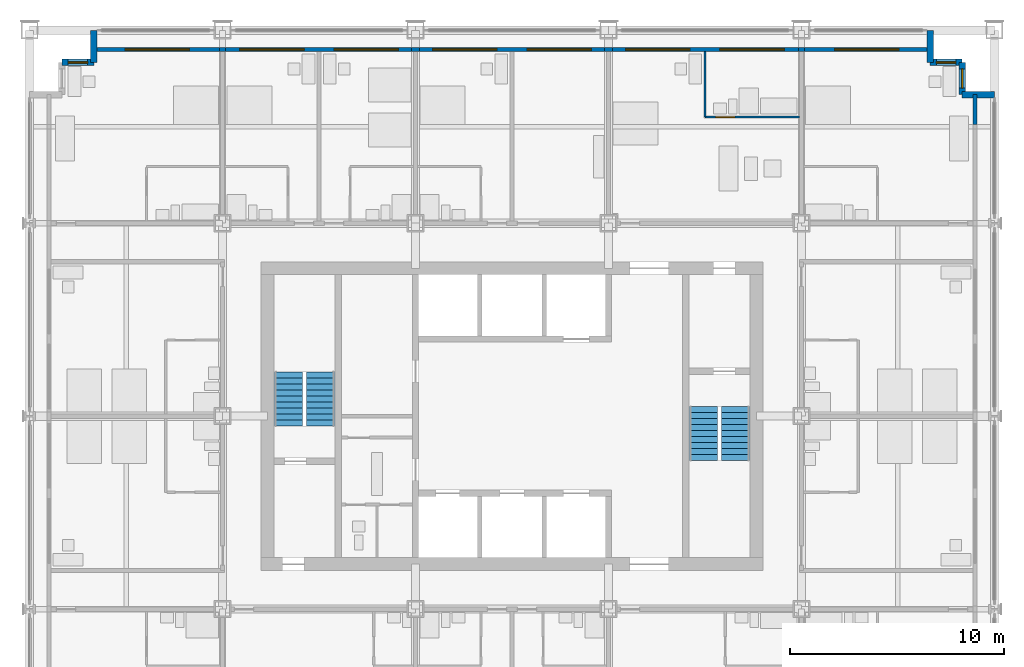
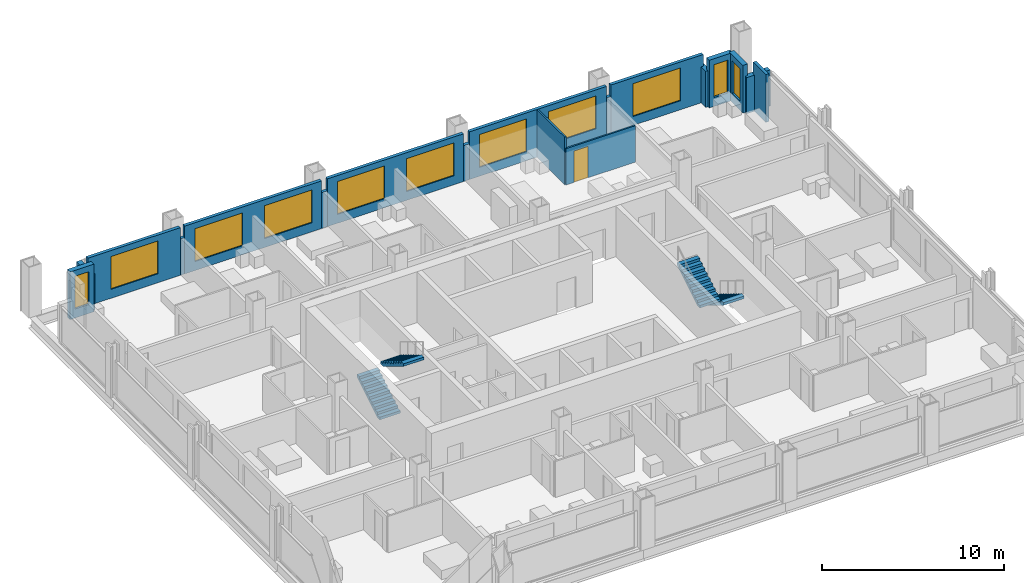
# One storey, part 13 of 16: 18 walls, 11 windows, 4 stair flights, 1 door, 12 openings, 2 elements without a shape of their own.
"""IFC4 building model written with IfcOpenShell, lengths in metres."""

from ifc_helpers import new_model, si_unit, direction, frame, frame_2d, origin, place, context, subcontext, project, spatial, polyline, rectangle, outline, extrude, material, layer, layer_set, type_object, element, fill, aggregate, save


model = new_model("IFC4")

# Units and contexts
model_context = context("Model", 3, precision=1e-05, world=origin(), true_north=direction((0.0, 1.0)))
body_context = subcontext(model_context, "Body", "Model", "MODEL_VIEW")
ifc_project = project(units=[si_unit("LENGTHUNIT", "METRE"), si_unit("AREAUNIT", "SQUARE_METRE"), si_unit("VOLUMEUNIT", "CUBIC_METRE"), si_unit("PLANEANGLEUNIT", "RADIAN"), si_unit("MASSUNIT", "GRAM", prefix="KILO")], contexts=[model_context])

# Site, building, storey
site_placement = place(None, origin())
site = spatial("IfcSite", under=ifc_project, at=site_placement, CompositionType="ELEMENT")
building_placement = place(site_placement, origin())
building = spatial("IfcBuilding", under=site, at=building_placement, Name="Loomwork Tower", CompositionType="ELEMENT")
storey_placement = place(building_placement, frame((0.0, 0.0, 131.60009765625)))
storey = spatial("IfcBuildingStorey", under=building, at=storey_placement, Name="L35", CompositionType="ELEMENT", Elevation=131.60009765625)

# Wall, opening, door
ifc_material_1 = material(Name="Cement board on steel studs", Category="steel")
ifc_layer_1 = layer(ifc_material_1, 0.10009765625)
ifc_layer_set_1 = layer_set([ifc_layer_1], Name="En-suite partition 100")
wall_type_1 = type_object("IfcWallType", Name="En-suite partition 100", PredefinedType="PARTITIONING", material=ifc_layer_set_1)
wall_1_placement = place(storey_placement, frame((31.5, 31.949951171875, 0.0), z_axis=(0.0, 0.0, 1.0), x_axis=(1.0, 0.0, 0.0)))
wall_1 = element("IfcWall", 1, at=wall_1_placement, inside=storey, type_object=wall_type_1, Name="Spa bathroom wall L35 room 12", PredefinedType="PARTITIONING", context=body_context, shape_type="SweptSolid", body=[
    extrude(rectangle(XDim=4.39990234375, YDim=0.10009765625, at=frame_2d((2.199951171875, 0.0))), origin(), (0.0, 0.0, 1.0), 2.43798828125),
])
opening_1_placement = place(wall_1_placement, frame((0.5, 0.0, 0.0)))
opening_1 = element("IfcOpeningElement", 2, at=opening_1_placement, cuts=wall_1, Name="Opening D2", PredefinedType="OPENING", context=body_context, shape_type="SweptSolid", body=[
    extrude(rectangle(XDim=0.89990234375, YDim=2.10009765625, at=frame_2d((0.449951171875, 1.050048828125))), frame((0.0, 0.06005859375, 0.0), z_axis=(0.0, -1.0, 0.0), x_axis=(1.0, 0.0, 0.0)), (0.0, 0.0, 1.0), 0.1201171875),
])
ifc_material_2 = material(Name="Hollow metal door and frame")
door_type = type_object("IfcDoorType", Name="En-suite door 900", OperationType="SINGLE_SWING_LEFT", PredefinedType="DOOR", material=ifc_material_2)
door_placement = place(opening_1_placement, origin())
door = element("IfcDoor", 3, at=door_placement, inside=storey, type_object=door_type, Name="Spa bathroom door room 12", OperationType="SINGLE_SWING_LEFT", OverallHeight=2.10009765625, OverallWidth=0.89990234375, PredefinedType="DOOR", context=body_context, shape_type="SweptSolid", body=[
    extrude(rectangle(XDim=0.89990234375, YDim=2.10009765625, at=frame_2d((0.449951171875, 1.050048828125))), frame((0.0, 0.02490234375, 0.0), z_axis=(0.0, -1.0, 0.0), x_axis=(1.0, 0.0, 0.0)), (0.0, 0.0, 1.0), 0.050048828125),
])
fill(opening_1, door)

# Wall
wall_2_placement = place(storey_placement, frame((31.5, 31.949951171875, 0.0), z_axis=(0.0, 0.0, 1.0), x_axis=(0.0, 1.0, 0.0)))
element("IfcWall", 4, at=wall_2_placement, inside=storey, type_object=wall_type_1, Name="Spa bathroom side wall L35 room 12", PredefinedType="PARTITIONING", context=body_context, shape_type="SweptSolid", body=[
    extrude(rectangle(XDim=3.050048828125, YDim=0.10009765625, at=frame_2d((1.52490234375, 0.0))), origin(), (0.0, 0.0, 1.0), 3.199951171875),
])

# Wall, opening, window
ifc_material_3 = material(Name="Insulated steel stud wall with gypsum lining", Category="steel")
ifc_layer_2 = layer(ifc_material_3, 0.199951171875)
ifc_layer_set_2 = layer_set([ifc_layer_2], Name="Inner skin wall 200")
wall_type_2 = type_object("IfcWallType", Name="Inner skin wall 200", PredefinedType="SOLIDWALL", material=ifc_layer_set_2)
wall_3_placement = place(storey_placement, frame((3.0, 35.10009765625, 0.0), z_axis=(0.0, 0.0, 1.0), x_axis=(1.0, 0.0, 0.0)))
wall_3 = element("IfcWall", 5, at=wall_3_placement, inside=storey, type_object=wall_type_2, Name="Inner skin wall N", PredefinedType="SOLIDWALL", context=body_context, shape_type="SweptSolid", body=[
    extrude(rectangle(XDim=5.86474609375, YDim=0.199951171875, at=frame_2d((2.932373046875, 0.0))), origin(), (0.0, 0.0, 1.0), 3.199951171875),
])
opening_2_placement = place(wall_3_placement, frame((1.449951171875, 0.0, 0.60009765625)))
opening_2 = element("IfcOpeningElement", 6, at=opening_2_placement, cuts=wall_3, Name="Opening CH1", PredefinedType="OPENING", context=body_context, shape_type="SweptSolid", body=[
    extrude(rectangle(XDim=3.0, YDim=2.199951171875, at=frame_2d((1.5, 1.10009765625))), frame((0.0, 0.10986328125, 0.0), z_axis=(0.0, -1.0, 0.0), x_axis=(1.0, 0.0, 0.0)), (0.0, 0.0, 1.0), 0.219970703125),
])
ifc_material_4 = material(Name="Aluminium frame with clear insulated glass", Category="aluminium")
window_type_1 = type_object("IfcWindowType", Name="Chicago window 3000", PartitioningType="TRIPLE_PANEL_VERTICAL", PredefinedType="WINDOW", material=ifc_material_4)
window_1_placement = place(opening_2_placement, origin())
window_1 = element("IfcWindow", 7, at=window_1_placement, inside=storey, type_object=window_type_1, Name="Chicago window L35 bay 6", OverallHeight=2.199951171875, OverallWidth=3.0, PartitioningType="TRIPLE_PANEL_VERTICAL", PredefinedType="WINDOW", context=body_context, shape_type="SweptSolid", body=[
    extrude(rectangle(XDim=3.0, YDim=2.199951171875, at=frame_2d((1.5, 1.10009765625))), frame((0.0, 0.030029296875, 0.0), z_axis=(0.0, -1.0, 0.0), x_axis=(1.0, 0.0, 0.0)), (0.0, 0.0, 1.0), 0.06005859375),
])
fill(opening_2, window_1)

# Wall
wall_4_placement = place(storey_placement, frame((8.86474609375, 35.10009765625, 0.0), z_axis=(0.0, 0.0, 1.0), x_axis=(1.0, 0.0, 0.0)))
element("IfcWall", 8, at=wall_4_placement, inside=storey, type_object=wall_type_2, Name="Inner skin wall N bay 2", PredefinedType="SOLIDWALL", context=body_context, shape_type="SweptSolid", body=[
    extrude(rectangle(XDim=0.2705078125, YDim=0.199951171875, at=frame_2d((0.13525390625, 0.0))), origin(), (0.0, 0.0, 1.0), 2.43798828125),
])

# Wall, openings, windows
wall_5_placement = place(storey_placement, frame((9.13525390625, 35.10009765625, 0.0), z_axis=(0.0, 0.0, 1.0), x_axis=(1.0, 0.0, 0.0)))
wall_5 = element("IfcWall", 9, at=wall_5_placement, inside=storey, type_object=wall_type_2, Name="Inner skin wall N bay 3", PredefinedType="SOLIDWALL", context=body_context, shape_type="SweptSolid", body=[
    extrude(rectangle(XDim=8.6708984375, YDim=0.199951171875, at=frame_2d((4.33544921875, 0.0))), origin(), (0.0, 0.0, 1.0), 3.199951171875),
])
opening_3_placement = place(wall_5_placement, frame((0.664794921875, 0.0, 0.60009765625)))
opening_3 = element("IfcOpeningElement", 10, at=opening_3_placement, cuts=wall_5, Name="Opening CH1", PredefinedType="OPENING", context=body_context, shape_type="SweptSolid", body=[
    extrude(rectangle(XDim=3.0, YDim=2.199951171875, at=frame_2d((1.5, 1.10009765625))), frame((0.0, 0.10986328125, 0.0), z_axis=(0.0, -1.0, 0.0), x_axis=(1.0, 0.0, 0.0)), (0.0, 0.0, 1.0), 0.219970703125),
])
opening_4_placement = place(wall_5_placement, frame((5.064697265625, 0.0, 0.60009765625)))
opening_4 = element("IfcOpeningElement", 11, at=opening_4_placement, cuts=wall_5, Name="Opening CH1", PredefinedType="OPENING", context=body_context, shape_type="SweptSolid", body=[
    extrude(rectangle(XDim=3.0, YDim=2.199951171875, at=frame_2d((1.5, 1.10009765625))), frame((0.0, 0.10986328125, 0.0), z_axis=(0.0, -1.0, 0.0), x_axis=(1.0, 0.0, 0.0)), (0.0, 0.0, 1.0), 0.219970703125),
])
window_2_placement = place(opening_3_placement, origin())
window_2 = element("IfcWindow", 12, at=window_2_placement, inside=storey, type_object=window_type_1, Name="Chicago window L35 bay 7", OverallHeight=2.199951171875, OverallWidth=3.0, PartitioningType="TRIPLE_PANEL_VERTICAL", PredefinedType="WINDOW", context=body_context, shape_type="SweptSolid", body=[
    extrude(rectangle(XDim=3.0, YDim=2.199951171875, at=frame_2d((1.5, 1.10009765625))), frame((0.0, 0.030029296875, 0.0), z_axis=(0.0, -1.0, 0.0), x_axis=(1.0, 0.0, 0.0)), (0.0, 0.0, 1.0), 0.06005859375),
])
fill(opening_3, window_2)
window_3_placement = place(opening_4_placement, origin())
window_3 = element("IfcWindow", 13, at=window_3_placement, inside=storey, type_object=window_type_1, Name="Chicago window L35 bay 7", OverallHeight=2.199951171875, OverallWidth=3.0, PartitioningType="TRIPLE_PANEL_VERTICAL", PredefinedType="WINDOW", context=body_context, shape_type="SweptSolid", body=[
    extrude(rectangle(XDim=3.0, YDim=2.199951171875, at=frame_2d((1.5, 1.10009765625))), frame((0.0, 0.030029296875, 0.0), z_axis=(0.0, -1.0, 0.0), x_axis=(1.0, 0.0, 0.0)), (0.0, 0.0, 1.0), 0.06005859375),
])
fill(opening_4, window_3)

# Wall
wall_6_placement = place(storey_placement, frame((17.80615234375, 35.10009765625, 0.0), z_axis=(0.0, 0.0, 1.0), x_axis=(1.0, 0.0, 0.0)))
element("IfcWall", 14, at=wall_6_placement, inside=storey, type_object=wall_type_2, Name="Inner skin wall N bay 4", PredefinedType="SOLIDWALL", context=body_context, shape_type="SweptSolid", body=[
    extrude(rectangle(XDim=0.3876953125, YDim=0.199951171875, at=frame_2d((0.19384765625, 0.0))), origin(), (0.0, 0.0, 1.0), 2.40380859375),
])

# Wall, openings, windows
wall_7_placement = place(storey_placement, frame((18.19384765625, 35.10009765625, 0.0), z_axis=(0.0, 0.0, 1.0), x_axis=(1.0, 0.0, 0.0)))
wall_7 = element("IfcWall", 15, at=wall_7_placement, inside=storey, type_object=wall_type_2, Name="Inner skin wall N bay 5", PredefinedType="SOLIDWALL", context=body_context, shape_type="SweptSolid", body=[
    extrude(rectangle(XDim=8.6123046875, YDim=0.199951171875, at=frame_2d((4.30615234375, 0.0))), origin(), (0.0, 0.0, 1.0), 3.199951171875),
])
opening_5_placement = place(wall_7_placement, frame((0.606201171875, 0.0, 0.60009765625)))
opening_5 = element("IfcOpeningElement", 16, at=opening_5_placement, cuts=wall_7, Name="Opening CH1", PredefinedType="OPENING", context=body_context, shape_type="SweptSolid", body=[
    extrude(rectangle(XDim=3.0, YDim=2.199951171875, at=frame_2d((1.5, 1.10009765625))), frame((0.0, 0.10986328125, 0.0), z_axis=(0.0, -1.0, 0.0), x_axis=(1.0, 0.0, 0.0)), (0.0, 0.0, 1.0), 0.219970703125),
])
opening_6_placement = place(wall_7_placement, frame((5.006103515625, 0.0, 0.60009765625)))
opening_6 = element("IfcOpeningElement", 17, at=opening_6_placement, cuts=wall_7, Name="Opening CH1", PredefinedType="OPENING", context=body_context, shape_type="SweptSolid", body=[
    extrude(rectangle(XDim=3.0, YDim=2.199951171875, at=frame_2d((1.5, 1.10009765625))), frame((0.0, 0.10986328125, 0.0), z_axis=(0.0, -1.0, 0.0), x_axis=(1.0, 0.0, 0.0)), (0.0, 0.0, 1.0), 0.219970703125),
])
window_4_placement = place(opening_5_placement, origin())
window_4 = element("IfcWindow", 18, at=window_4_placement, inside=storey, type_object=window_type_1, Name="Chicago window L35 bay 8", OverallHeight=2.199951171875, OverallWidth=3.0, PartitioningType="TRIPLE_PANEL_VERTICAL", PredefinedType="WINDOW", context=body_context, shape_type="SweptSolid", body=[
    extrude(rectangle(XDim=3.0, YDim=2.199951171875, at=frame_2d((1.5, 1.10009765625))), frame((0.0, 0.030029296875, 0.0), z_axis=(0.0, -1.0, 0.0), x_axis=(1.0, 0.0, 0.0)), (0.0, 0.0, 1.0), 0.06005859375),
])
fill(opening_5, window_4)
window_5_placement = place(opening_6_placement, origin())
window_5 = element("IfcWindow", 19, at=window_5_placement, inside=storey, type_object=window_type_1, Name="Chicago window L35 bay 8", OverallHeight=2.199951171875, OverallWidth=3.0, PartitioningType="TRIPLE_PANEL_VERTICAL", PredefinedType="WINDOW", context=body_context, shape_type="SweptSolid", body=[
    extrude(rectangle(XDim=3.0, YDim=2.199951171875, at=frame_2d((1.5, 1.10009765625))), frame((0.0, 0.030029296875, 0.0), z_axis=(0.0, -1.0, 0.0), x_axis=(1.0, 0.0, 0.0)), (0.0, 0.0, 1.0), 0.06005859375),
])
fill(opening_6, window_5)

# Wall
wall_8_placement = place(storey_placement, frame((26.80615234375, 35.10009765625, 0.0), z_axis=(0.0, 0.0, 1.0), x_axis=(1.0, 0.0, 0.0)))
element("IfcWall", 20, at=wall_8_placement, inside=storey, type_object=wall_type_2, Name="Inner skin wall N bay 6", PredefinedType="SOLIDWALL", context=body_context, shape_type="SweptSolid", body=[
    extrude(rectangle(XDim=0.3876953125, YDim=0.199951171875, at=frame_2d((0.19384765625, 0.0))), origin(), (0.0, 0.0, 1.0), 2.40380859375),
])

# Wall, openings, windows
wall_9_placement = place(storey_placement, frame((27.19384765625, 35.10009765625, 0.0), z_axis=(0.0, 0.0, 1.0), x_axis=(1.0, 0.0, 0.0)))
wall_9 = element("IfcWall", 21, at=wall_9_placement, inside=storey, type_object=wall_type_2, Name="Inner skin wall N bay 7", PredefinedType="SOLIDWALL", context=body_context, shape_type="SweptSolid", body=[
    extrude(rectangle(XDim=8.670654296875, YDim=0.199951171875, at=frame_2d((4.33544921875, 0.0))), origin(), (0.0, 0.0, 1.0), 3.199951171875),
])
opening_7_placement = place(wall_9_placement, frame((0.606201171875, 0.0, 0.60009765625)))
opening_7 = element("IfcOpeningElement", 22, at=opening_7_placement, cuts=wall_9, Name="Opening CH1", PredefinedType="OPENING", context=body_context, shape_type="SweptSolid", body=[
    extrude(rectangle(XDim=3.0, YDim=2.199951171875, at=frame_2d((1.5, 1.10009765625))), frame((0.0, 0.10986328125, 0.0), z_axis=(0.0, -1.0, 0.0), x_axis=(1.0, 0.0, 0.0)), (0.0, 0.0, 1.0), 0.219970703125),
])
opening_8_placement = place(wall_9_placement, frame((5.006103515625, 0.0, 0.60009765625)))
opening_8 = element("IfcOpeningElement", 23, at=opening_8_placement, cuts=wall_9, Name="Opening CH1", PredefinedType="OPENING", context=body_context, shape_type="SweptSolid", body=[
    extrude(rectangle(XDim=3.0, YDim=2.199951171875, at=frame_2d((1.5, 1.10009765625))), frame((0.0, 0.10986328125, 0.0), z_axis=(0.0, -1.0, 0.0), x_axis=(1.0, 0.0, 0.0)), (0.0, 0.0, 1.0), 0.219970703125),
])
window_6_placement = place(opening_7_placement, origin())
window_6 = element("IfcWindow", 24, at=window_6_placement, inside=storey, type_object=window_type_1, Name="Chicago window L35 bay 9", OverallHeight=2.199951171875, OverallWidth=3.0, PartitioningType="TRIPLE_PANEL_VERTICAL", PredefinedType="WINDOW", context=body_context, shape_type="SweptSolid", body=[
    extrude(rectangle(XDim=3.0, YDim=2.199951171875, at=frame_2d((1.5, 1.10009765625))), frame((0.0, 0.030029296875, 0.0), z_axis=(0.0, -1.0, 0.0), x_axis=(1.0, 0.0, 0.0)), (0.0, 0.0, 1.0), 0.06005859375),
])
fill(opening_7, window_6)
window_7_placement = place(opening_8_placement, origin())
window_7 = element("IfcWindow", 25, at=window_7_placement, inside=storey, type_object=window_type_1, Name="Chicago window L35 bay 9", OverallHeight=2.199951171875, OverallWidth=3.0, PartitioningType="TRIPLE_PANEL_VERTICAL", PredefinedType="WINDOW", context=body_context, shape_type="SweptSolid", body=[
    extrude(rectangle(XDim=3.0, YDim=2.199951171875, at=frame_2d((1.5, 1.10009765625))), frame((0.0, 0.030029296875, 0.0), z_axis=(0.0, -1.0, 0.0), x_axis=(1.0, 0.0, 0.0)), (0.0, 0.0, 1.0), 0.06005859375),
])
fill(opening_8, window_7)

# Wall
wall_10_placement = place(storey_placement, frame((35.864501953125, 35.10009765625, 0.0), z_axis=(0.0, 0.0, 1.0), x_axis=(1.0, 0.0, 0.0)))
element("IfcWall", 26, at=wall_10_placement, inside=storey, type_object=wall_type_2, Name="Inner skin wall N bay 8", PredefinedType="SOLIDWALL", context=body_context, shape_type="SweptSolid", body=[
    extrude(rectangle(XDim=0.27099609375, YDim=0.199951171875, at=frame_2d((0.135498046875, 0.0))), origin(), (0.0, 0.0, 1.0), 2.43798828125),
])

# Wall, opening, window
wall_11_placement = place(storey_placement, frame((36.135498046875, 35.10009765625, 0.0), z_axis=(0.0, 0.0, 1.0), x_axis=(1.0, 0.0, 0.0)))
wall_11 = element("IfcWall", 27, at=wall_11_placement, inside=storey, type_object=wall_type_2, Name="Inner skin wall N bay 9", PredefinedType="SOLIDWALL", context=body_context, shape_type="SweptSolid", body=[
    extrude(rectangle(XDim=5.864501953125, YDim=0.199951171875, at=frame_2d((2.93212890625, 0.0))), origin(), (0.0, 0.0, 1.0), 3.199951171875),
])
opening_9_placement = place(wall_11_placement, frame((1.41455078125, 0.0, 0.60009765625)))
opening_9 = element("IfcOpeningElement", 28, at=opening_9_placement, cuts=wall_11, Name="Opening CH1", PredefinedType="OPENING", context=body_context, shape_type="SweptSolid", body=[
    extrude(rectangle(XDim=3.0, YDim=2.199951171875, at=frame_2d((1.5, 1.10009765625))), frame((0.0, 0.10986328125, 0.0), z_axis=(0.0, -1.0, 0.0), x_axis=(1.0, 0.0, 0.0)), (0.0, 0.0, 1.0), 0.219970703125),
])
window_8_placement = place(opening_9_placement, origin())
window_8 = element("IfcWindow", 29, at=window_8_placement, inside=storey, type_object=window_type_1, Name="Chicago window L35 bay 10", OverallHeight=2.199951171875, OverallWidth=3.0, PartitioningType="TRIPLE_PANEL_VERTICAL", PredefinedType="WINDOW", context=body_context, shape_type="SweptSolid", body=[
    extrude(rectangle(XDim=3.0, YDim=2.199951171875, at=frame_2d((1.5, 1.10009765625))), frame((0.0, 0.030029296875, 0.0), z_axis=(0.0, -1.0, 0.0), x_axis=(1.0, 0.0, 0.0)), (0.0, 0.0, 1.0), 0.06005859375),
])
fill(opening_9, window_8)

# Walls
wall_12_placement = place(storey_placement, frame((44.10009765625, 31.607421875, 0.0), z_axis=(0.0, 0.0, 1.0), x_axis=(0.0, 1.0, 0.0)))
element("IfcWall", 30, at=wall_12_placement, inside=storey, type_object=wall_type_2, Name="Inner skin wall E bay 11", PredefinedType="SOLIDWALL", context=body_context, shape_type="SweptSolid", body=[
    extrude(rectangle(XDim=1.392578125, YDim=0.199951171875, at=frame_2d((0.6962890625, 0.0))), origin(), (0.0, 0.0, 1.0), 3.199951171875),
])
ifc_material_5 = material(Name="Limestone on concrete masonry", Category="masonry")
ifc_layer_3 = layer(ifc_material_5, 0.300048828125)
ifc_layer_set_3 = layer_set([ifc_layer_3], Name="Limestone corner wall 300")
wall_type_3 = type_object("IfcWallType", Name="Limestone corner wall 300", PredefinedType="SOLIDWALL", material=ifc_layer_set_3)
wall_13_placement = place(storey_placement, frame((45.0, 33.0, 0.0), z_axis=(0.0, 0.0, 1.0), x_axis=(-1.0, 0.0, 0.0)))
element("IfcWall", 31, at=wall_13_placement, inside=storey, type_object=wall_type_3, Name="Stone corner wall NE 1", PredefinedType="SOLIDWALL", context=body_context, shape_type="SweptSolid", body=[
    extrude(rectangle(XDim=1.5, YDim=0.300048828125, at=frame_2d((0.75, 0.0))), origin(), (0.0, 0.0, 1.0), 2.419921875),
])

# Wall, opening, window
wall_14_placement = place(storey_placement, frame((43.5, 33.0, 0.0), z_axis=(0.0, 0.0, 1.0), x_axis=(0.0, 1.0, 0.0)))
wall_14 = element("IfcWall", 32, at=wall_14_placement, inside=storey, type_object=wall_type_3, Name="Stone corner wall NE 2", PredefinedType="SOLIDWALL", context=body_context, shape_type="SweptSolid", body=[
    extrude(rectangle(XDim=1.5, YDim=0.300048828125, at=frame_2d((0.75, 0.0))), origin(), (0.0, 0.0, 1.0), 3.199951171875),
])
opening_10_placement = place(wall_14_placement, frame((0.300048828125, 0.0, 0.60009765625)))
opening_10 = element("IfcOpeningElement", 33, at=opening_10_placement, cuts=wall_14, Name="Opening CH2", PredefinedType="OPENING", context=body_context, shape_type="SweptSolid", body=[
    extrude(rectangle(XDim=0.89990234375, YDim=2.199951171875, at=frame_2d((0.449951171875, 1.10009765625))), frame((0.0, 0.159912109375, 0.0), z_axis=(0.0, -1.0, 0.0), x_axis=(1.0, 0.0, 0.0)), (0.0, 0.0, 1.0), 0.320068359375),
])
ifc_material_6 = material(Name="Aluminium frame with clear insulated glass", Category="aluminium")
window_type_2 = type_object("IfcWindowType", Name="Corner window 900", PartitioningType="SINGLE_PANEL", PredefinedType="WINDOW", material=ifc_material_6)
window_9_placement = place(opening_10_placement, origin())
window_9 = element("IfcWindow", 34, at=window_9_placement, inside=storey, type_object=window_type_2, Name="Corner window NE", OverallHeight=2.199951171875, OverallWidth=0.89990234375, PartitioningType="SINGLE_PANEL", PredefinedType="WINDOW", context=body_context, shape_type="SweptSolid", body=[
    extrude(rectangle(XDim=0.89990234375, YDim=2.199951171875, at=frame_2d((0.449951171875, 1.10009765625))), frame((0.0, 0.030029296875, 0.0), z_axis=(0.0, -1.0, 0.0), x_axis=(1.0, 0.0, 0.0)), (0.0, 0.0, 1.0), 0.06005859375),
])
fill(opening_10, window_9)

wall_15_placement = place(storey_placement, frame((43.5, 34.5, 0.0), z_axis=(0.0, 0.0, 1.0), x_axis=(-1.0, 0.0, 0.0)))
wall_15 = element("IfcWall", 35, at=wall_15_placement, inside=storey, type_object=wall_type_3, Name="Stone corner wall NE 3", PredefinedType="SOLIDWALL", context=body_context, shape_type="SweptSolid", body=[
    extrude(rectangle(XDim=1.5, YDim=0.300048828125, at=frame_2d((0.75, 0.0))), origin(), (0.0, 0.0, 1.0), 3.199951171875),
])
opening_11_placement = place(wall_15_placement, frame((0.300048828125, 0.0, 0.60009765625)))
opening_11 = element("IfcOpeningElement", 36, at=opening_11_placement, cuts=wall_15, Name="Opening CH2", PredefinedType="OPENING", context=body_context, shape_type="SweptSolid", body=[
    extrude(rectangle(XDim=0.89990234375, YDim=2.199951171875, at=frame_2d((0.449951171875, 1.10009765625))), frame((0.0, 0.159912109375, 0.0), z_axis=(0.0, -1.0, 0.0), x_axis=(1.0, 0.0, 0.0)), (0.0, 0.0, 1.0), 0.320068359375),
])
window_10_placement = place(opening_11_placement, origin())
window_10 = element("IfcWindow", 37, at=window_10_placement, inside=storey, type_object=window_type_2, Name="Corner window NE", OverallHeight=2.199951171875, OverallWidth=0.89990234375, PartitioningType="SINGLE_PANEL", PredefinedType="WINDOW", context=body_context, shape_type="SweptSolid", body=[
    extrude(rectangle(XDim=0.89990234375, YDim=2.199951171875, at=frame_2d((0.449951171875, 1.10009765625))), frame((0.0, 0.030029296875, 0.0), z_axis=(0.0, -1.0, 0.0), x_axis=(1.0, 0.0, 0.0)), (0.0, 0.0, 1.0), 0.06005859375),
])
fill(opening_11, window_10)

# Walls
for number, where, z_axis, x_axis, name in (
    (38, (42.0, 34.5, 0.0), (0.0, 0.0, 1.0), (0.0, 1.0, 0.0), "Stone corner wall NE 4"),
    (39, (3.0, 36.0, 0.0), (0.0, 0.0, 1.0), (0.0, -1.0, 0.0), "Stone corner wall NW 1"),
):
    element("IfcWall", number, at=place(storey_placement, frame(where, z_axis=z_axis, x_axis=x_axis)), inside=storey, type_object=wall_type_3, Name=name, PredefinedType="SOLIDWALL", context=body_context, shape_type="SweptSolid", body=[
        extrude(rectangle(XDim=1.5, YDim=0.300048828125, at=frame_2d((0.75, 0.0))), origin(), (0.0, 0.0, 1.0), 2.419921875),
    ])

# Wall, opening, window
wall_16_placement = place(storey_placement, frame((3.0, 34.5, 0.0), z_axis=(0.0, 0.0, 1.0), x_axis=(-1.0, 0.0, 0.0)))
wall_16 = element("IfcWall", 40, at=wall_16_placement, inside=storey, type_object=wall_type_3, Name="Stone corner wall NW 2", PredefinedType="SOLIDWALL", context=body_context, shape_type="SweptSolid", body=[
    extrude(rectangle(XDim=1.5, YDim=0.300048828125, at=frame_2d((0.75, 0.0))), origin(), (0.0, 0.0, 1.0), 3.199951171875),
])
opening_12_placement = place(wall_16_placement, frame((0.300048828125, 0.0, 0.60009765625)))
opening_12 = element("IfcOpeningElement", 41, at=opening_12_placement, cuts=wall_16, Name="Opening CH2", PredefinedType="OPENING", context=body_context, shape_type="SweptSolid", body=[
    extrude(rectangle(XDim=0.89990234375, YDim=2.199951171875, at=frame_2d((0.449951171875, 1.10009765625))), frame((0.0, 0.159912109375, 0.0), z_axis=(0.0, -1.0, 0.0), x_axis=(1.0, 0.0, 0.0)), (0.0, 0.0, 1.0), 0.320068359375),
])
window_11_placement = place(opening_12_placement, origin())
window_11 = element("IfcWindow", 42, at=window_11_placement, inside=storey, type_object=window_type_2, Name="Corner window NW", OverallHeight=2.199951171875, OverallWidth=0.89990234375, PartitioningType="SINGLE_PANEL", PredefinedType="WINDOW", context=body_context, shape_type="SweptSolid", body=[
    extrude(rectangle(XDim=0.89990234375, YDim=2.199951171875, at=frame_2d((0.449951171875, 1.10009765625))), frame((0.0, 0.030029296875, 0.0), z_axis=(0.0, -1.0, 0.0), x_axis=(1.0, 0.0, 0.0)), (0.0, 0.0, 1.0), 0.06005859375),
])
fill(opening_12, window_11)

# Stair, stair flights
ifc_material_7 = material(Name="Concrete 5000 psi (34 MPa) precast stair", Category="concrete")
stair_type_1 = type_object("IfcStairType", Name="Stair ST-A 20 risers 2850 wide", PredefinedType="HALF_TURN_STAIR", material=ifc_material_7)
stair_1_placement = place(storey_placement, origin())
stair_1 = element("IfcStair", 43, at=stair_1_placement, inside=storey, type_object=stair_type_1, Name="Stair A L35", PredefinedType="HALF_TURN_STAIR")
ifc_material_8 = material(Name="Concrete 5000 psi (34 MPa) precast stair", Category="concrete")
stair_flight_type_1 = type_object("IfcStairFlightType", Name="Stair flight ST-A 10 risers 1300 wide", PredefinedType="STRAIGHT", material=ifc_material_8)
stair_flight_1_placement = place(storey_placement, frame((12.074951171875, 17.550048828125, 0.0), z_axis=(0.0, 0.0, 1.0), x_axis=(0.0, 1.0, 0.0)))
stair_flight_1 = element("IfcStairFlight", 44, at=stair_flight_1_placement, type_object=stair_flight_type_1, Name="ST-A flight 1", NumberOfRisers=10, NumberOfTreads=9, PredefinedType="STRAIGHT", RiserHeight=0.17, TreadLength=0.28, context=body_context, shape_type="SweptSolid", body=[
    extrude(outline(polyline([(0.0, 0.0), (0.0, 0.169921875), (0.280029296875, 0.169921875), (0.280029296875, 0.340087890625), (0.56005859375, 0.340087890625), (0.56005859375, 0.510009765625), (0.840087890625, 0.510009765625), (0.840087890625, 0.679931640625), (1.1201171875, 0.679931640625), (1.1201171875, 0.85009765625), (1.39990234375, 0.85009765625), (1.39990234375, 1.02001953125), (1.679931640625, 1.02001953125), (1.679931640625, 1.18994140625), (1.9599609375, 1.18994140625), (1.9599609375, 1.360107421875), (2.239990234375, 1.360107421875), (2.239990234375, 1.530029296875), (2.52001953125, 1.530029296875), (2.52001953125, 1.699951171875), (2.52001953125, 1.354736328125), (0.288818359375, 0.0), (0.0, 0.0)])), frame((0.0, 0.64990234375, 0.0), z_axis=(0.0, -1.0, 0.0), x_axis=(1.0, 0.0, 0.0)), (0.0, 0.0, 1.0), 1.300048828125),
])
stair_flight_2_placement = place(storey_placement, frame((13.574951171875, 20.070068359375, 1.699951171875), z_axis=(0.0, 0.0, 1.0), x_axis=(0.0, -1.0, 0.0)))
stair_flight_2 = element("IfcStairFlight", 45, at=stair_flight_2_placement, type_object=stair_flight_type_1, Name="ST-A flight 2", NumberOfRisers=10, NumberOfTreads=9, PredefinedType="STRAIGHT", RiserHeight=0.17, TreadLength=0.28, context=body_context, shape_type="SweptSolid", body=[
    extrude(outline(polyline([(0.0, 0.0), (0.0, 0.169921875), (0.280029296875, 0.169921875), (0.280029296875, 0.340087890625), (0.56005859375, 0.340087890625), (0.56005859375, 0.510009765625), (0.840087890625, 0.510009765625), (0.840087890625, 0.679931640625), (1.1201171875, 0.679931640625), (1.1201171875, 0.85009765625), (1.39990234375, 0.85009765625), (1.39990234375, 1.02001953125), (1.679931640625, 1.02001953125), (1.679931640625, 1.18994140625), (1.9599609375, 1.18994140625), (1.9599609375, 1.360107421875), (2.239990234375, 1.360107421875), (2.239990234375, 1.530029296875), (2.52001953125, 1.530029296875), (2.52001953125, 1.699951171875), (2.52001953125, 1.354736328125), (0.288818359375, 0.0), (0.0, 0.0)])), frame((0.0, 0.64990234375, 0.0), z_axis=(0.0, -1.0, 0.0), x_axis=(1.0, 0.0, 0.0)), (0.0, 0.0, 1.0), 1.300048828125),
])
aggregate(stair_1, [stair_flight_1, stair_flight_2])

ifc_material_9 = material(Name="Concrete 5000 psi (34 MPa) precast stair", Category="concrete")
stair_type_2 = type_object("IfcStairType", Name="Stair ST-B 20 risers 2850 wide", PredefinedType="HALF_TURN_STAIR", material=ifc_material_9)
stair_2_placement = place(storey_placement, origin())
stair_2 = element("IfcStair", 46, at=stair_2_placement, inside=storey, type_object=stair_type_2, Name="Stair B L35", PredefinedType="HALF_TURN_STAIR")
ifc_material_10 = material(Name="Concrete 5000 psi (34 MPa) precast stair", Category="concrete")
stair_flight_type_2 = type_object("IfcStairFlightType", Name="Stair flight ST-B 10 risers 1300 wide", PredefinedType="STRAIGHT", material=ifc_material_10)
stair_flight_3_placement = place(storey_placement, frame((32.925048828125, 18.449951171875, 0.0), z_axis=(0.0, 0.0, 1.0), x_axis=(0.0, -1.0, 0.0)))
stair_flight_3 = element("IfcStairFlight", 47, at=stair_flight_3_placement, type_object=stair_flight_type_2, Name="ST-B flight 1", NumberOfRisers=10, NumberOfTreads=9, PredefinedType="STRAIGHT", RiserHeight=0.17, TreadLength=0.28, context=body_context, shape_type="SweptSolid", body=[
    extrude(outline(polyline([(0.0, 0.0), (0.0, 0.169921875), (0.280029296875, 0.169921875), (0.280029296875, 0.340087890625), (0.56005859375, 0.340087890625), (0.56005859375, 0.510009765625), (0.840087890625, 0.510009765625), (0.840087890625, 0.679931640625), (1.1201171875, 0.679931640625), (1.1201171875, 0.85009765625), (1.39990234375, 0.85009765625), (1.39990234375, 1.02001953125), (1.679931640625, 1.02001953125), (1.679931640625, 1.18994140625), (1.9599609375, 1.18994140625), (1.9599609375, 1.360107421875), (2.239990234375, 1.360107421875), (2.239990234375, 1.530029296875), (2.52001953125, 1.530029296875), (2.52001953125, 1.699951171875), (2.52001953125, 1.354736328125), (0.288818359375, 0.0), (0.0, 0.0)])), frame((0.0, 0.64990234375, 0.0), z_axis=(0.0, -1.0, 0.0), x_axis=(1.0, 0.0, 0.0)), (0.0, 0.0, 1.0), 1.300048828125),
])
stair_flight_4_placement = place(storey_placement, frame((31.425048828125, 15.929931640625, 1.699951171875), z_axis=(0.0, 0.0, 1.0), x_axis=(0.0, 1.0, 0.0)))
stair_flight_4 = element("IfcStairFlight", 48, at=stair_flight_4_placement, type_object=stair_flight_type_2, Name="ST-B flight 2", NumberOfRisers=10, NumberOfTreads=9, PredefinedType="STRAIGHT", RiserHeight=0.17, TreadLength=0.28, context=body_context, shape_type="SweptSolid", body=[
    extrude(outline(polyline([(0.0, 0.0), (0.0, 0.169921875), (0.280029296875, 0.169921875), (0.280029296875, 0.340087890625), (0.56005859375, 0.340087890625), (0.56005859375, 0.510009765625), (0.840087890625, 0.510009765625), (0.840087890625, 0.679931640625), (1.1201171875, 0.679931640625), (1.1201171875, 0.85009765625), (1.39990234375, 0.85009765625), (1.39990234375, 1.02001953125), (1.679931640625, 1.02001953125), (1.679931640625, 1.18994140625), (1.9599609375, 1.18994140625), (1.9599609375, 1.360107421875), (2.239990234375, 1.360107421875), (2.239990234375, 1.530029296875), (2.52001953125, 1.530029296875), (2.52001953125, 1.699951171875), (2.52001953125, 1.354736328125), (0.288818359375, 0.0), (0.0, 0.0)])), frame((0.0, 0.64990234375, 0.0), z_axis=(0.0, -1.0, 0.0), x_axis=(1.0, 0.0, 0.0)), (0.0, 0.0, 1.0), 1.300048828125),
])
aggregate(stair_2, [stair_flight_3, stair_flight_4])

save(model, "model.ifc")
